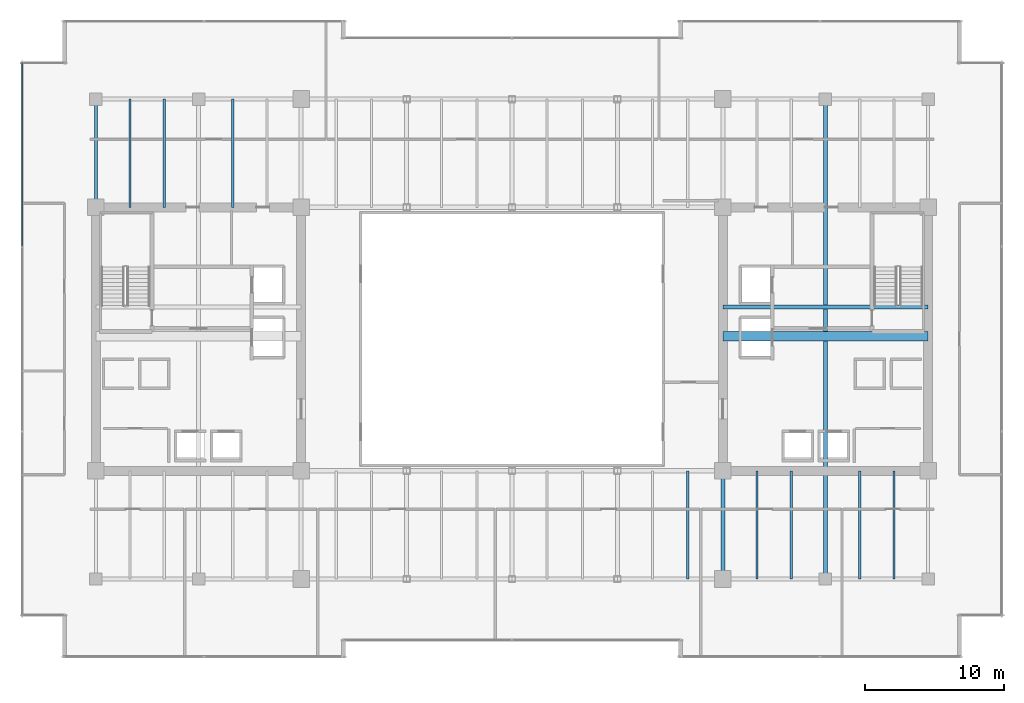
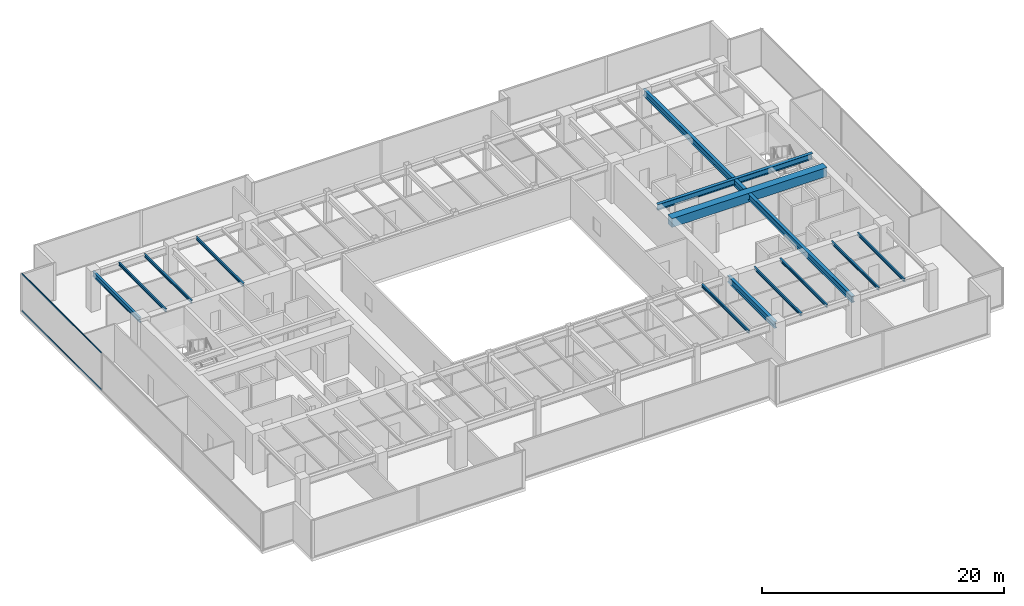
# One storey, part 13 of 30: 13 beams, 2 members, 1 element without a shape of its own.
"""IFC4 building model written with IfcOpenShell, lengths in metres."""

from ifc_helpers import new_model, si_unit, direction, frame, origin, origin_2d, place, context, subcontext, project, spatial, rectangle, hollow_rectangle, i_section, extrude, source, transform, mapped, material, layer, layer_set, material_profile, profile_set, type_object, type_shapes, element, aggregate, save


model = new_model("IFC4")

# Units and contexts
model_context = context("Model", 3, precision=1e-05, world=origin(), true_north=direction((0.0, 1.0)))
body_context = subcontext(model_context, "Body", "Model", "MODEL_VIEW")
ifc_project = project(units=[si_unit("LENGTHUNIT", "METRE"), si_unit("AREAUNIT", "SQUARE_METRE"), si_unit("VOLUMEUNIT", "CUBIC_METRE"), si_unit("PLANEANGLEUNIT", "RADIAN"), si_unit("MASSUNIT", "GRAM", prefix="KILO")], contexts=[model_context])

# Site, building, storey
site_placement = place(None, origin())
site = spatial("IfcSite", under=ifc_project, at=site_placement, CompositionType="ELEMENT")
building_placement = place(site_placement, origin())
building = spatial("IfcBuilding", under=site, at=building_placement, Name="Haelvirn Gate Laboratories", CompositionType="ELEMENT")
storey_placement = place(building_placement, frame((0.0, 0.0, 129.699951171875)))
storey = spatial("IfcBuildingStorey", under=building, at=storey_placement, Name="L31", CompositionType="ELEMENT", Elevation=129.699951171875)

# Beams
ifc_material_1 = material(Name="Concrete C60/75", Category="concrete")
ifc_material_profile_1 = material_profile(ifc_material_1, rectangle(XDim=0.699951171875, YDim=0.89990234375, at=origin_2d()), Name="RCB-700x900")
ifc_profile_set_1 = profile_set([ifc_material_profile_1], Name="Concrete C60/75")
beam_type_1 = type_object("IfcBeamType", Name="BM-RCB-900", PredefinedType="LINTEL", material=ifc_profile_set_1)
shared_shape_1 = source(origin(), body_context, "Body", "SweptSolid", [
    extrude(rectangle(XDim=0.699951171875, YDim=0.89990234375, at=origin_2d()), origin(), (0.0, 0.0, 1.0), 14.7998046875),
])
type_shapes(beam_type_1, [shared_shape_1])
beam_1_placement = place(storey_placement, frame((52.60009765625, 24.5, 3.340087890625), z_axis=(1.0, 0.0, 0.0), x_axis=(0.0, 1.0, 0.0)))
element("IfcBeam", 1, at=beam_1_placement, inside=storey, type_object=beam_type_1, Name="L31 East Core Coupling Beam", PredefinedType="LINTEL", context=body_context, shape_type="MappedRepresentation", body=[
    mapped(shared_shape_1, transform((0.0, 0.0, 0.0), scale=1.0)),
])
ifc_material_2 = material(Name="Steel SM355", Category="steel")
ifc_material_profile_2 = material_profile(ifc_material_2, i_section(OverallWidth=0.300048828125, OverallDepth=0.587890625, WebThickness=0.011962890625, FlangeThickness=0.02001953125, at=origin_2d()), Name="H-588x300x12x20")
ifc_profile_set_2 = profile_set([ifc_material_profile_2], Name="Steel SM355")
beam_type_2 = type_object("IfcBeamType", Name="BM-G-588", PredefinedType="BEAM", material=ifc_profile_set_2)
shared_shape_2 = source(origin(), body_context, "Body", "SweptSolid", [
    extrude(i_section(OverallWidth=0.300048828125, OverallDepth=0.587890625, WebThickness=0.011962890625, FlangeThickness=0.02001953125, at=origin_2d()), origin(), (0.0, 0.0, 1.0), 14.7998046875),
])
type_shapes(beam_type_2, [shared_shape_2])
beam_2_placement = place(storey_placement, frame((52.60009765625, 26.6201171875, 3.49609375), z_axis=(1.0, 0.0, 0.0), x_axis=(0.0, 1.0, 0.0)))
element("IfcBeam", 2, at=beam_2_placement, inside=storey, type_object=beam_type_2, Name="L31 Stair ST2 Landing Header", PredefinedType="BEAM", context=body_context, shape_type="MappedRepresentation", body=[
    mapped(shared_shape_2, transform((0.0, 0.0, 0.0), scale=1.0)),
])
ifc_material_profile_3 = material_profile(ifc_material_2, i_section(OverallWidth=0.199951171875, OverallDepth=0.5, WebThickness=0.010009765625, FlangeThickness=0.01611328125, at=origin_2d()), Name="H-500x200x10x16")
ifc_profile_set_3 = profile_set([ifc_material_profile_3], Name="Steel SM355")
beam_type_3 = type_object("IfcBeamType", Name="BM-SP-500", PredefinedType="SPANDREL", material=ifc_profile_set_3)
shared_shape_3 = source(origin(), body_context, "Body", "SweptSolid", [
    extrude(i_section(OverallWidth=0.199951171875, OverallDepth=0.5, WebThickness=0.010009765625, FlangeThickness=0.01611328125, at=origin_2d()), origin(), (0.0, 0.0, 1.0), 7.800048828125),
])
type_shapes(beam_type_3, [shared_shape_3])
beam_3_placement = place(storey_placement, frame((7.39990234375, 33.800048828125, 3.5400390625), z_axis=(0.0, 1.0, 0.0), x_axis=(-1.0, 0.0, 0.0)))
element("IfcBeam", 3, at=beam_3_placement, inside=storey, type_object=beam_type_3, Name="L31 Perimeter Spandrel X7.4 (33.8-41.6)", PredefinedType="SPANDREL", context=body_context, shape_type="MappedRepresentation", body=[
    mapped(shared_shape_3, transform((0.0, 0.0, 0.0), scale=1.0)),
])
ifc_material_profile_4 = material_profile(ifc_material_2, i_section(OverallWidth=0.300048828125, OverallDepth=0.64990234375, WebThickness=0.012939453125, FlangeThickness=0.02197265625, at=origin_2d()), Name="H-650x300x13x22")
ifc_profile_set_4 = profile_set([ifc_material_profile_4], Name="Steel SM355")
beam_type_4 = type_object("IfcBeamType", Name="BM-G-650", PredefinedType="BEAM", material=ifc_profile_set_4)
shared_shape_4 = source(origin(), body_context, "Body", "SweptSolid", [
    extrude(i_section(OverallWidth=0.300048828125, OverallDepth=0.64990234375, WebThickness=0.012939453125, FlangeThickness=0.02197265625, at=origin_2d()), origin(), (0.0, 0.0, 1.0), 34.60009765625),
])
beam_4_placement = place(storey_placement, frame((60.0, 7.0, 3.465087890625), z_axis=(0.0, 1.0, 0.0), x_axis=(-1.0, 0.0, 0.0)))
element("IfcBeam", 4, at=beam_4_placement, inside=storey, type_object=beam_type_4, Name="L31 Frame Girder X60.0 (7.0-41.6)", PredefinedType="BEAM", context=body_context, shape_type="MappedRepresentation", body=[
    mapped(shared_shape_4, transform((0.0, 0.0, 0.0), scale=1.0)),
])
shared_shape_5 = source(origin(), body_context, "Body", "SweptSolid", [
    extrude(i_section(OverallWidth=0.300048828125, OverallDepth=0.64990234375, WebThickness=0.012939453125, FlangeThickness=0.02197265625, at=origin_2d()), origin(), (0.0, 0.0, 1.0), 7.800048828125),
])
type_shapes(beam_type_4, [shared_shape_4, shared_shape_5])
beam_5_placement = place(storey_placement, frame((52.60009765625, 7.0, 3.465087890625), z_axis=(0.0, 1.0, 0.0), x_axis=(-1.0, 0.0, 0.0)))
element("IfcBeam", 5, at=beam_5_placement, inside=storey, type_object=beam_type_4, Name="L31 Frame Girder X52.6 (7.0-14.8)", PredefinedType="BEAM", context=body_context, shape_type="MappedRepresentation", body=[
    mapped(shared_shape_5, transform((0.0, 0.0, 0.0), scale=1.0)),
])
ifc_material_profile_5 = material_profile(ifc_material_2, i_section(OverallWidth=0.14990234375, OverallDepth=0.300048828125, WebThickness=0.006591796875, FlangeThickness=0.009033203125, at=origin_2d()), Name="H-300x150x6.5x9")
ifc_profile_set_5 = profile_set([ifc_material_profile_5], Name="Steel SM355")
beam_type_5 = type_object("IfcBeamType", Name="BM-J-300", PredefinedType="JOIST", material=ifc_profile_set_5)
shared_shape_6 = source(origin(), body_context, "Body", "SweptSolid", [
    extrude(i_section(OverallWidth=0.14990234375, OverallDepth=0.300048828125, WebThickness=0.006591796875, FlangeThickness=0.009033203125, at=origin_2d()), origin(), (0.0, 0.0, 1.0), 7.800048828125),
])
type_shapes(beam_type_5, [shared_shape_6])
for number, where, z_axis, x_axis, name in (
    (6, (9.8701171875, 33.800048828125, 3.64013671875), (0.0, 1.0, 0.0), (-1.0, 0.0, 0.0), "L31 Composite Lab Joist North X9.87"),
    (7, (12.330078125, 33.800048828125, 3.64013671875), (0.0, 1.0, 0.0), (-1.0, 0.0, 0.0), "L31 Composite Lab Joist North X12.33"),
    (8, (17.27001953125, 33.800048828125, 3.64013671875), (0.0, 1.0, 0.0), (-1.0, 0.0, 0.0), "L31 Composite Lab Joist North X17.27"),
    (9, (50.070068359375, 7.0, 3.64013671875), (0.0, 1.0, 0.0), (-1.0, 0.0, 0.0), "L31 Composite Lab Joist South X50.07"),
    (10, (55.070068359375, 7.0, 3.64013671875), (0.0, 1.0, 0.0), (-1.0, 0.0, 0.0), "L31 Composite Lab Joist South X55.07"),
    (11, (57.530029296875, 7.0, 3.64013671875), (0.0, 1.0, 0.0), (-1.0, 0.0, 0.0), "L31 Composite Lab Joist South X57.53"),
    (12, (62.469970703125, 7.0, 3.64013671875), (0.0, 1.0, 0.0), (-1.0, 0.0, 0.0), "L31 Composite Lab Joist South X62.47"),
    (13, (64.929931640625, 7.0, 3.64013671875), (0.0, 1.0, 0.0), (-1.0, 0.0, 0.0), "L31 Composite Lab Joist South X64.93"),
):
    element("IfcBeam", number, at=place(storey_placement, frame(where, z_axis=z_axis, x_axis=x_axis)), inside=storey, type_object=beam_type_5, Name=name, PredefinedType="JOIST", context=body_context, shape_type="MappedRepresentation", body=[
        mapped(shared_shape_6, transform((0.0, 0.0, 0.0), scale=1.0)),
    ])

# Curtain wall, members
ifc_material_3 = material(Name="Anodised bronze unitised aluminium & triple low-E glass", Category="aluminium")
ifc_layer = layer(ifc_material_3, 0.179931640625, Name="CW-SYS-3")
ifc_layer_set = layer_set([ifc_layer], Name="Anodised bronze unitised aluminium & triple low-E glass")
curtain_wall_type = type_object("IfcCurtainWallType", Name="CW-SYS-3", PredefinedType="NOTDEFINED", material=ifc_layer_set)
curtain_wall_placement = place(storey_placement, origin())
curtain_wall = element("IfcCurtainWall", 14, at=curtain_wall_placement, inside=storey, type_object=curtain_wall_type, Name="L31 Unitised Curtain Wall CW-L31-P0-E17", PredefinedType="NOTDEFINED")
ifc_material_4 = material(Name="Extruded aluminium 6063-T6 (anodised bronze)", Category="aluminium")
ifc_material_profile_6 = material_profile(ifc_material_4, hollow_rectangle(XDim=0.06494140625, YDim=0.139892578125, WallThickness=0.00390625, at=origin_2d()), Name="CWT-140x65x4")
ifc_profile_set_6 = profile_set([ifc_material_profile_6], Name="Extruded aluminium 6063-T6 (anodised bronze)")
member_type = type_object("IfcMemberType", Name="CWT-T140", PredefinedType="USERDEFINED", material=ifc_profile_set_6)
shared_shape_7 = source(origin(), body_context, "Body", "SweptSolid", [
    extrude(hollow_rectangle(XDim=0.06494140625, YDim=0.139892578125, WallThickness=0.00390625, at=origin_2d()), origin(), (0.0, 0.0, 1.0), 13.220947265625),
])
type_shapes(member_type, [shared_shape_7])
member_1_placement = place(storey_placement, frame((2.10009765625, 44.22509765625, 0.032470703125), z_axis=(0.0, -1.0, 0.0), x_axis=(1.0, 0.0, 0.0)))
member_1 = element("IfcMember", 15, at=member_1_placement, type_object=member_type, Name="CW3 transom 1.1", ObjectType="TRANSOM", PredefinedType="USERDEFINED", context=body_context, shape_type="MappedRepresentation", body=[
    mapped(shared_shape_7, transform((0.0, 0.0, 0.0), scale=1.0)),
])
member_2_placement = place(storey_placement, frame((2.10009765625, 44.22509765625, 3.757568359375), z_axis=(0.0, -1.0, 0.0), x_axis=(1.0, 0.0, 0.0)))
member_2 = element("IfcMember", 16, at=member_2_placement, type_object=member_type, Name="CW3 transom 1.2", ObjectType="TRANSOM", PredefinedType="USERDEFINED", context=body_context, shape_type="MappedRepresentation", body=[
    mapped(shared_shape_7, transform((0.0, 0.0, 0.0), scale=1.0)),
])
aggregate(curtain_wall, [member_1, member_2])

save(model, "model.ifc")
